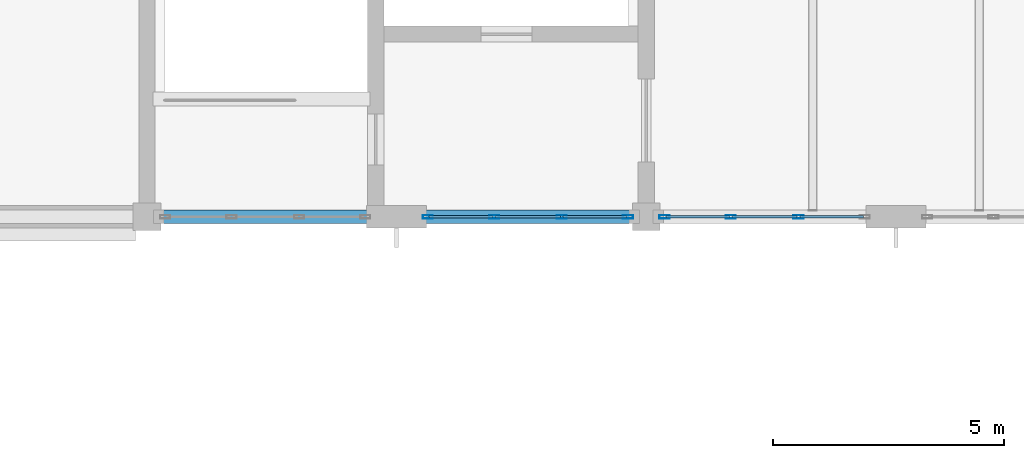
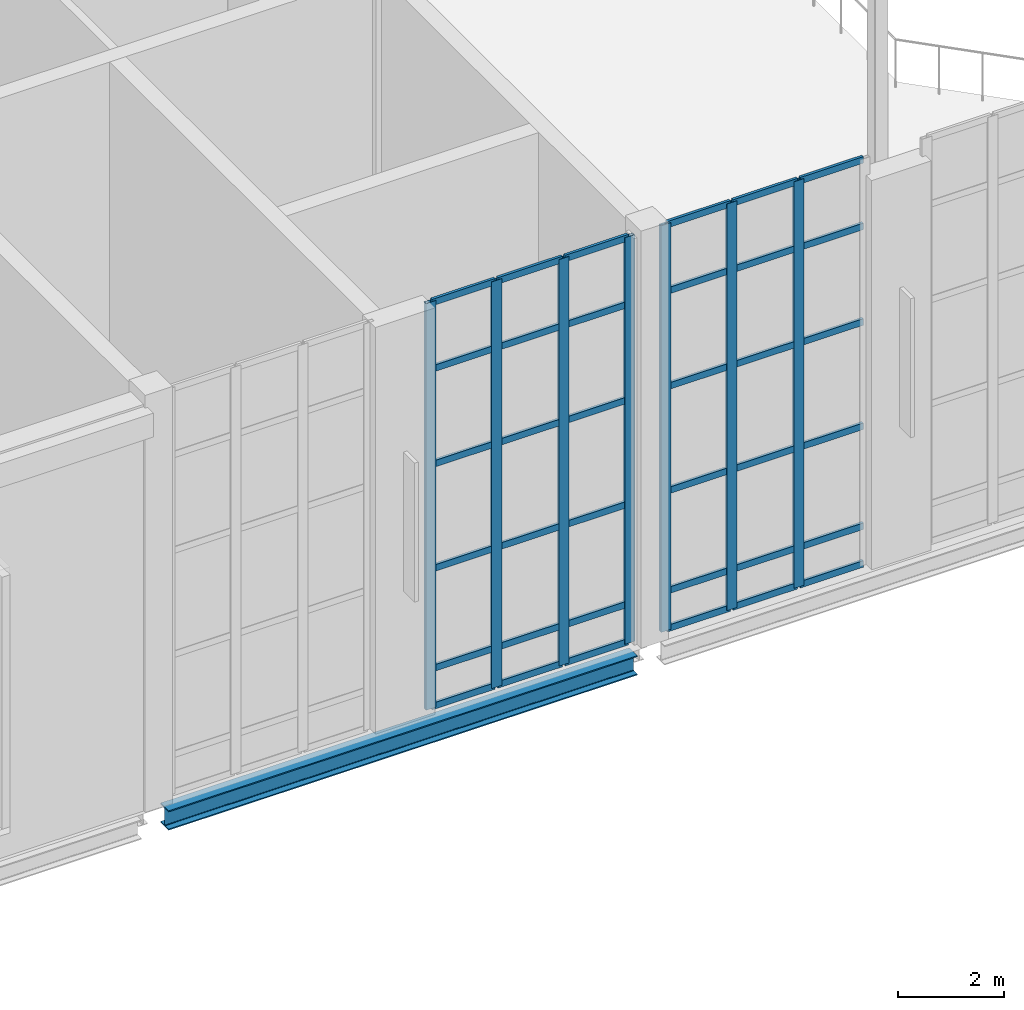
# One storey, part 18 of 100: 43 members, 1 beam, 2 elements without a shape of their own.
"""IFC4 building model written with IfcOpenShell, lengths in metres."""

from ifc_helpers import new_model, si_unit, direction, frame, origin, origin_2d, place, context, subcontext, project, spatial, hollow_rectangle, i_section, extrude, material, layer, layer_set, material_profile, profile_set, type_object, element, aggregate, save


model = new_model("IFC4")

# Units and contexts
model_context = context("Model", 3, precision=1e-05, world=origin(), true_north=direction((0.0, 1.0)))
body_context = subcontext(model_context, "Body", "Model", "MODEL_VIEW")
ifc_project = project(units=[si_unit("LENGTHUNIT", "METRE"), si_unit("AREAUNIT", "SQUARE_METRE"), si_unit("VOLUMEUNIT", "CUBIC_METRE"), si_unit("PLANEANGLEUNIT", "RADIAN"), si_unit("MASSUNIT", "GRAM", prefix="KILO")], contexts=[model_context])

# Site, building, storey
site_placement = place(None, origin())
site = spatial("IfcSite", under=ifc_project, at=site_placement, CompositionType="ELEMENT")
building_placement = place(site_placement, origin())
building = spatial("IfcBuilding", under=site, at=building_placement, Name="Tasgan Crest Museum", CompositionType="ELEMENT")
storey_placement = place(building_placement, frame((0.0, 0.0, 14.39990234375)))
storey = spatial("IfcBuildingStorey", under=building, at=storey_placement, Name="L03", CompositionType="ELEMENT", Elevation=14.39990234375)

# Beam
ifc_material_1 = material(Name="Steel S355J2", Category="steel")
ifc_material_profile_1 = material_profile(ifc_material_1, i_section(OverallWidth=0.300048828125, OverallDepth=0.449951171875, WebThickness=0.013916015625, FlangeThickness=0.02587890625, FilletRadius=0.027099609375, at=origin_2d()), Name="HEB 450")
ifc_profile_set_1 = profile_set([ifc_material_profile_1], Name="Steel S355J2")
beam_type = type_object("IfcBeamType", Name="BM-G-HEB450", PredefinedType="BEAM", material=ifc_profile_set_1)
beam_placement = place(storey_placement, frame((43.49609375, 40.0, -0.48486328125), z_axis=(1.0, 0.0, 0.0), x_axis=(0.0, 1.0, 0.0)))
element("IfcBeam", 1, at=beam_placement, inside=storey, type_object=beam_type, Name="Girder L03 E 43.2-54.0", PredefinedType="BEAM", context=body_context, shape_type="SweptSolid", body=[
    extrude(i_section(OverallWidth=0.300048828125, OverallDepth=0.449951171875, WebThickness=0.013916015625, FlangeThickness=0.02587890625, FilletRadius=0.027099609375, at=origin_2d()), origin(), (0.0, 0.0, 1.0), 10.2080078125),
])

# Curtain wall, members
ifc_material_2 = material(Name="Triple-Glazed Aluminium Curtain Wall", Category="aluminium")
ifc_layer_1 = layer(ifc_material_2, 0.179931640625, Name="CW-CANT-SIDE-96")
ifc_layer_set_1 = layer_set([ifc_layer_1], Name="Triple-Glazed Aluminium Curtain Wall")
curtain_wall_type_1 = type_object("IfcCurtainWallType", Name="CW-CANT-SIDE-96", PredefinedType="NOTDEFINED", material=ifc_layer_set_1)
curtain_wall_1_placement = place(storey_placement, origin())
curtain_wall_1 = element("IfcCurtainWall", 2, at=curtain_wall_1_placement, inside=storey, type_object=curtain_wall_type_1, Name="Curtain wall L03 144", PredefinedType="NOTDEFINED")
ifc_material_3 = material(Name="Anodised Aluminium", Category="aluminium")
ifc_material_profile_2 = material_profile(ifc_material_3, hollow_rectangle(XDim=0.074951171875, YDim=0.219970703125, WallThickness=0.006103515625, at=origin_2d()), Name="ALU MULLION 220x75x6")
ifc_profile_set_2 = profile_set([ifc_material_profile_2], Name="Anodised Aluminium")
member_type_1 = type_object("IfcMemberType", Name="CW-MULLION-220", PredefinedType="MULLION", material=ifc_profile_set_2)
member_1_placement = place(storey_placement, frame((49.27490234375, 40.0, 0.0), z_axis=(0.0, 0.0, 1.0), x_axis=(0.0, 1.0, 0.0)))
member_1 = element("IfcMember", 3, at=member_1_placement, type_object=member_type_1, Name="CW12 mullion 1", PredefinedType="MULLION", context=body_context, shape_type="SweptSolid", body=[
    extrude(hollow_rectangle(XDim=0.074951171875, YDim=0.219970703125, WallThickness=0.006103515625, at=origin_2d()), origin(), (0.0, 0.0, 1.0), 9.360107421875),
])
member_2_placement = place(storey_placement, frame((50.708251953125, 40.0, 0.0), z_axis=(0.0, 0.0, 1.0), x_axis=(0.0, 1.0, 0.0)))
member_2 = element("IfcMember", 4, at=member_2_placement, type_object=member_type_1, Name="CW12 mullion 2", PredefinedType="MULLION", context=body_context, shape_type="SweptSolid", body=[
    extrude(hollow_rectangle(XDim=0.074951171875, YDim=0.219970703125, WallThickness=0.006103515625, at=origin_2d()), origin(), (0.0, 0.0, 1.0), 9.360107421875),
])
member_3_placement = place(storey_placement, frame((52.171630859375, 40.0, 0.0), z_axis=(0.0, 0.0, 1.0), x_axis=(0.0, 1.0, 0.0)))
member_3 = element("IfcMember", 5, at=member_3_placement, type_object=member_type_1, Name="CW12 mullion 3", PredefinedType="MULLION", context=body_context, shape_type="SweptSolid", body=[
    extrude(hollow_rectangle(XDim=0.074951171875, YDim=0.219970703125, WallThickness=0.006103515625, at=origin_2d()), origin(), (0.0, 0.0, 1.0), 9.360107421875),
])
member_4_placement = place(storey_placement, frame((53.60498046875, 40.0, 0.0), z_axis=(0.0, 0.0, 1.0), x_axis=(0.0, 1.0, 0.0)))
member_4 = element("IfcMember", 6, at=member_4_placement, type_object=member_type_1, Name="CW12 mullion 4", PredefinedType="MULLION", context=body_context, shape_type="SweptSolid", body=[
    extrude(hollow_rectangle(XDim=0.074951171875, YDim=0.219970703125, WallThickness=0.006103515625, at=origin_2d()), origin(), (0.0, 0.0, 1.0), 9.360107421875),
])

ifc_material_4 = material(Name="Triple-Glazed Aluminium Curtain Wall", Category="aluminium")
ifc_layer_2 = layer(ifc_material_4, 0.179931640625, Name="CW-DRUM-X-96")
ifc_layer_set_2 = layer_set([ifc_layer_2], Name="Triple-Glazed Aluminium Curtain Wall")
curtain_wall_type_2 = type_object("IfcCurtainWallType", Name="CW-DRUM-X-96", PredefinedType="NOTDEFINED", material=ifc_layer_set_2)
curtain_wall_2_placement = place(storey_placement, origin())
curtain_wall_2 = element("IfcCurtainWall", 7, at=curtain_wall_2_placement, inside=storey, type_object=curtain_wall_type_2, Name="Curtain wall L03 145", PredefinedType="NOTDEFINED")
member_5_placement = place(storey_placement, frame((54.39501953125, 40.0, 0.0), z_axis=(0.0, 0.0, 1.0), x_axis=(0.0, 1.0, 0.0)))
member_5 = element("IfcMember", 8, at=member_5_placement, type_object=member_type_1, Name="CW06 mullion 1", PredefinedType="MULLION", context=body_context, shape_type="SweptSolid", body=[
    extrude(hollow_rectangle(XDim=0.074951171875, YDim=0.219970703125, WallThickness=0.006103515625, at=origin_2d()), origin(), (0.0, 0.0, 1.0), 9.360107421875),
])
member_6_placement = place(storey_placement, frame((55.828369140625, 40.0, 0.0), z_axis=(0.0, 0.0, 1.0), x_axis=(0.0, 1.0, 0.0)))
member_6 = element("IfcMember", 9, at=member_6_placement, type_object=member_type_1, Name="CW06 mullion 2", PredefinedType="MULLION", context=body_context, shape_type="SweptSolid", body=[
    extrude(hollow_rectangle(XDim=0.074951171875, YDim=0.219970703125, WallThickness=0.006103515625, at=origin_2d()), origin(), (0.0, 0.0, 1.0), 9.360107421875),
])
member_7_placement = place(storey_placement, frame((57.291748046875, 40.0, 0.0), z_axis=(0.0, 0.0, 1.0), x_axis=(0.0, 1.0, 0.0)))
member_7 = element("IfcMember", 10, at=member_7_placement, type_object=member_type_1, Name="CW06 mullion 3", PredefinedType="MULLION", context=body_context, shape_type="SweptSolid", body=[
    extrude(hollow_rectangle(XDim=0.074951171875, YDim=0.219970703125, WallThickness=0.006103515625, at=origin_2d()), origin(), (0.0, 0.0, 1.0), 9.360107421875),
])

# Member
ifc_material_5 = material(Name="Anodised Aluminium", Category="aluminium")
ifc_material_profile_3 = material_profile(ifc_material_5, hollow_rectangle(XDim=0.06005859375, YDim=0.14990234375, WallThickness=0.0048828125, at=origin_2d()), Name="ALU TRANSOM 150x60x5")
ifc_profile_set_3 = profile_set([ifc_material_profile_3], Name="Anodised Aluminium")
member_type_2 = type_object("IfcMemberType", Name="CW-TRANSOM-150", PredefinedType="USERDEFINED", material=ifc_profile_set_3)
member_8_placement = place(storey_placement, frame((49.304931640625, 40.0, 0.030029296875), z_axis=(1.0, 0.0, 0.0), x_axis=(0.0, 1.0, 0.0)))
member_8 = element("IfcMember", 11, at=member_8_placement, type_object=member_type_2, Name="CW12 transom 1.1", ObjectType="TRANSOM", PredefinedType="USERDEFINED", context=body_context, shape_type="SweptSolid", body=[
    extrude(hollow_rectangle(XDim=0.06005859375, YDim=0.14990234375, WallThickness=0.0048828125, at=origin_2d()), origin(), (0.0, 0.0, 1.0), 1.373291015625),
])

member_9_placement = place(storey_placement, frame((49.304931640625, 40.0, 0.900146484375), z_axis=(1.0, 0.0, 0.0), x_axis=(0.0, 1.0, 0.0)))
member_9 = element("IfcMember", 12, at=member_9_placement, type_object=member_type_2, Name="CW12 transom 1.2", ObjectType="TRANSOM", PredefinedType="USERDEFINED", context=body_context, shape_type="SweptSolid", body=[
    extrude(hollow_rectangle(XDim=0.06005859375, YDim=0.14990234375, WallThickness=0.0048828125, at=origin_2d()), origin(), (0.0, 0.0, 1.0), 1.373291015625),
])

member_10_placement = place(storey_placement, frame((49.304931640625, 40.0, 3.2001953125), z_axis=(1.0, 0.0, 0.0), x_axis=(0.0, 1.0, 0.0)))
member_10 = element("IfcMember", 13, at=member_10_placement, type_object=member_type_2, Name="CW12 transom 1.3", ObjectType="TRANSOM", PredefinedType="USERDEFINED", context=body_context, shape_type="SweptSolid", body=[
    extrude(hollow_rectangle(XDim=0.06005859375, YDim=0.14990234375, WallThickness=0.0048828125, at=origin_2d()), origin(), (0.0, 0.0, 1.0), 1.373291015625),
])

member_11_placement = place(storey_placement, frame((49.304931640625, 40.0, 5.60009765625), z_axis=(1.0, 0.0, 0.0), x_axis=(0.0, 1.0, 0.0)))
member_11 = element("IfcMember", 14, at=member_11_placement, type_object=member_type_2, Name="CW12 transom 1.4", ObjectType="TRANSOM", PredefinedType="USERDEFINED", context=body_context, shape_type="SweptSolid", body=[
    extrude(hollow_rectangle(XDim=0.06005859375, YDim=0.14990234375, WallThickness=0.0048828125, at=origin_2d()), origin(), (0.0, 0.0, 1.0), 1.373291015625),
])

member_12_placement = place(storey_placement, frame((49.304931640625, 40.0, 7.800048828125), z_axis=(1.0, 0.0, 0.0), x_axis=(0.0, 1.0, 0.0)))
member_12 = element("IfcMember", 15, at=member_12_placement, type_object=member_type_2, Name="CW12 transom 1.5", ObjectType="TRANSOM", PredefinedType="USERDEFINED", context=body_context, shape_type="SweptSolid", body=[
    extrude(hollow_rectangle(XDim=0.06005859375, YDim=0.14990234375, WallThickness=0.0048828125, at=origin_2d()), origin(), (0.0, 0.0, 1.0), 1.373291015625),
])

member_13_placement = place(storey_placement, frame((49.304931640625, 40.0, 9.330078125), z_axis=(1.0, 0.0, 0.0), x_axis=(0.0, 1.0, 0.0)))
member_13 = element("IfcMember", 16, at=member_13_placement, type_object=member_type_2, Name="CW12 transom 1.6", ObjectType="TRANSOM", PredefinedType="USERDEFINED", context=body_context, shape_type="SweptSolid", body=[
    extrude(hollow_rectangle(XDim=0.06005859375, YDim=0.14990234375, WallThickness=0.0048828125, at=origin_2d()), origin(), (0.0, 0.0, 1.0), 1.373291015625),
])

member_14_placement = place(storey_placement, frame((50.73828125, 40.0, 0.030029296875), z_axis=(1.0, 0.0, 0.0), x_axis=(0.0, 1.0, 0.0)))
member_14 = element("IfcMember", 17, at=member_14_placement, type_object=member_type_2, Name="CW12 transom 2.1", ObjectType="TRANSOM", PredefinedType="USERDEFINED", context=body_context, shape_type="SweptSolid", body=[
    extrude(hollow_rectangle(XDim=0.06005859375, YDim=0.14990234375, WallThickness=0.0048828125, at=origin_2d()), origin(), (0.0, 0.0, 1.0), 1.4033203125),
])

member_15_placement = place(storey_placement, frame((50.73828125, 40.0, 0.900146484375), z_axis=(1.0, 0.0, 0.0), x_axis=(0.0, 1.0, 0.0)))
member_15 = element("IfcMember", 18, at=member_15_placement, type_object=member_type_2, Name="CW12 transom 2.2", ObjectType="TRANSOM", PredefinedType="USERDEFINED", context=body_context, shape_type="SweptSolid", body=[
    extrude(hollow_rectangle(XDim=0.06005859375, YDim=0.14990234375, WallThickness=0.0048828125, at=origin_2d()), origin(), (0.0, 0.0, 1.0), 1.4033203125),
])

member_16_placement = place(storey_placement, frame((50.73828125, 40.0, 3.2001953125), z_axis=(1.0, 0.0, 0.0), x_axis=(0.0, 1.0, 0.0)))
member_16 = element("IfcMember", 19, at=member_16_placement, type_object=member_type_2, Name="CW12 transom 2.3", ObjectType="TRANSOM", PredefinedType="USERDEFINED", context=body_context, shape_type="SweptSolid", body=[
    extrude(hollow_rectangle(XDim=0.06005859375, YDim=0.14990234375, WallThickness=0.0048828125, at=origin_2d()), origin(), (0.0, 0.0, 1.0), 1.4033203125),
])

member_17_placement = place(storey_placement, frame((50.73828125, 40.0, 5.60009765625), z_axis=(1.0, 0.0, 0.0), x_axis=(0.0, 1.0, 0.0)))
member_17 = element("IfcMember", 20, at=member_17_placement, type_object=member_type_2, Name="CW12 transom 2.4", ObjectType="TRANSOM", PredefinedType="USERDEFINED", context=body_context, shape_type="SweptSolid", body=[
    extrude(hollow_rectangle(XDim=0.06005859375, YDim=0.14990234375, WallThickness=0.0048828125, at=origin_2d()), origin(), (0.0, 0.0, 1.0), 1.4033203125),
])

member_18_placement = place(storey_placement, frame((50.73828125, 40.0, 7.800048828125), z_axis=(1.0, 0.0, 0.0), x_axis=(0.0, 1.0, 0.0)))
member_18 = element("IfcMember", 21, at=member_18_placement, type_object=member_type_2, Name="CW12 transom 2.5", ObjectType="TRANSOM", PredefinedType="USERDEFINED", context=body_context, shape_type="SweptSolid", body=[
    extrude(hollow_rectangle(XDim=0.06005859375, YDim=0.14990234375, WallThickness=0.0048828125, at=origin_2d()), origin(), (0.0, 0.0, 1.0), 1.4033203125),
])

member_19_placement = place(storey_placement, frame((50.73828125, 40.0, 9.330078125), z_axis=(1.0, 0.0, 0.0), x_axis=(0.0, 1.0, 0.0)))
member_19 = element("IfcMember", 22, at=member_19_placement, type_object=member_type_2, Name="CW12 transom 2.6", ObjectType="TRANSOM", PredefinedType="USERDEFINED", context=body_context, shape_type="SweptSolid", body=[
    extrude(hollow_rectangle(XDim=0.06005859375, YDim=0.14990234375, WallThickness=0.0048828125, at=origin_2d()), origin(), (0.0, 0.0, 1.0), 1.4033203125),
])

member_20_placement = place(storey_placement, frame((52.20166015625, 40.0, 0.030029296875), z_axis=(1.0, 0.0, 0.0), x_axis=(0.0, 1.0, 0.0)))
member_20 = element("IfcMember", 23, at=member_20_placement, type_object=member_type_2, Name="CW12 transom 3.1", ObjectType="TRANSOM", PredefinedType="USERDEFINED", context=body_context, shape_type="SweptSolid", body=[
    extrude(hollow_rectangle(XDim=0.06005859375, YDim=0.14990234375, WallThickness=0.0048828125, at=origin_2d()), origin(), (0.0, 0.0, 1.0), 1.373291015625),
])

member_21_placement = place(storey_placement, frame((52.20166015625, 40.0, 0.900146484375), z_axis=(1.0, 0.0, 0.0), x_axis=(0.0, 1.0, 0.0)))
member_21 = element("IfcMember", 24, at=member_21_placement, type_object=member_type_2, Name="CW12 transom 3.2", ObjectType="TRANSOM", PredefinedType="USERDEFINED", context=body_context, shape_type="SweptSolid", body=[
    extrude(hollow_rectangle(XDim=0.06005859375, YDim=0.14990234375, WallThickness=0.0048828125, at=origin_2d()), origin(), (0.0, 0.0, 1.0), 1.373291015625),
])

member_22_placement = place(storey_placement, frame((52.20166015625, 40.0, 3.2001953125), z_axis=(1.0, 0.0, 0.0), x_axis=(0.0, 1.0, 0.0)))
member_22 = element("IfcMember", 25, at=member_22_placement, type_object=member_type_2, Name="CW12 transom 3.3", ObjectType="TRANSOM", PredefinedType="USERDEFINED", context=body_context, shape_type="SweptSolid", body=[
    extrude(hollow_rectangle(XDim=0.06005859375, YDim=0.14990234375, WallThickness=0.0048828125, at=origin_2d()), origin(), (0.0, 0.0, 1.0), 1.373291015625),
])

member_23_placement = place(storey_placement, frame((52.20166015625, 40.0, 5.60009765625), z_axis=(1.0, 0.0, 0.0), x_axis=(0.0, 1.0, 0.0)))
member_23 = element("IfcMember", 26, at=member_23_placement, type_object=member_type_2, Name="CW12 transom 3.4", ObjectType="TRANSOM", PredefinedType="USERDEFINED", context=body_context, shape_type="SweptSolid", body=[
    extrude(hollow_rectangle(XDim=0.06005859375, YDim=0.14990234375, WallThickness=0.0048828125, at=origin_2d()), origin(), (0.0, 0.0, 1.0), 1.373291015625),
])

member_24_placement = place(storey_placement, frame((52.20166015625, 40.0, 7.800048828125), z_axis=(1.0, 0.0, 0.0), x_axis=(0.0, 1.0, 0.0)))
member_24 = element("IfcMember", 27, at=member_24_placement, type_object=member_type_2, Name="CW12 transom 3.5", ObjectType="TRANSOM", PredefinedType="USERDEFINED", context=body_context, shape_type="SweptSolid", body=[
    extrude(hollow_rectangle(XDim=0.06005859375, YDim=0.14990234375, WallThickness=0.0048828125, at=origin_2d()), origin(), (0.0, 0.0, 1.0), 1.373291015625),
])

member_25_placement = place(storey_placement, frame((52.20166015625, 40.0, 9.330078125), z_axis=(1.0, 0.0, 0.0), x_axis=(0.0, 1.0, 0.0)))
member_25 = element("IfcMember", 28, at=member_25_placement, type_object=member_type_2, Name="CW12 transom 3.6", ObjectType="TRANSOM", PredefinedType="USERDEFINED", context=body_context, shape_type="SweptSolid", body=[
    extrude(hollow_rectangle(XDim=0.06005859375, YDim=0.14990234375, WallThickness=0.0048828125, at=origin_2d()), origin(), (0.0, 0.0, 1.0), 1.373291015625),
])

aggregate(curtain_wall_1, [member_1, member_2, member_3, member_4, member_8, member_9, member_10, member_11, member_12, member_13, member_14, member_15, member_16, member_17, member_18, member_19, member_20, member_21, member_22, member_23, member_24, member_25])

member_26_placement = place(storey_placement, frame((54.425048828125, 40.0, 0.030029296875), z_axis=(1.0, 0.0, 0.0), x_axis=(0.0, 1.0, 0.0)))
member_26 = element("IfcMember", 29, at=member_26_placement, type_object=member_type_2, Name="CW06 transom 1.1", ObjectType="TRANSOM", PredefinedType="USERDEFINED", context=body_context, shape_type="SweptSolid", body=[
    extrude(hollow_rectangle(XDim=0.06005859375, YDim=0.14990234375, WallThickness=0.0048828125, at=origin_2d()), origin(), (0.0, 0.0, 1.0), 1.373291015625),
])

member_27_placement = place(storey_placement, frame((54.425048828125, 40.0, 0.900146484375), z_axis=(1.0, 0.0, 0.0), x_axis=(0.0, 1.0, 0.0)))
member_27 = element("IfcMember", 30, at=member_27_placement, type_object=member_type_2, Name="CW06 transom 1.2", ObjectType="TRANSOM", PredefinedType="USERDEFINED", context=body_context, shape_type="SweptSolid", body=[
    extrude(hollow_rectangle(XDim=0.06005859375, YDim=0.14990234375, WallThickness=0.0048828125, at=origin_2d()), origin(), (0.0, 0.0, 1.0), 1.373291015625),
])

member_28_placement = place(storey_placement, frame((54.425048828125, 40.0, 3.2001953125), z_axis=(1.0, 0.0, 0.0), x_axis=(0.0, 1.0, 0.0)))
member_28 = element("IfcMember", 31, at=member_28_placement, type_object=member_type_2, Name="CW06 transom 1.3", ObjectType="TRANSOM", PredefinedType="USERDEFINED", context=body_context, shape_type="SweptSolid", body=[
    extrude(hollow_rectangle(XDim=0.06005859375, YDim=0.14990234375, WallThickness=0.0048828125, at=origin_2d()), origin(), (0.0, 0.0, 1.0), 1.373291015625),
])

member_29_placement = place(storey_placement, frame((54.425048828125, 40.0, 5.60009765625), z_axis=(1.0, 0.0, 0.0), x_axis=(0.0, 1.0, 0.0)))
member_29 = element("IfcMember", 32, at=member_29_placement, type_object=member_type_2, Name="CW06 transom 1.4", ObjectType="TRANSOM", PredefinedType="USERDEFINED", context=body_context, shape_type="SweptSolid", body=[
    extrude(hollow_rectangle(XDim=0.06005859375, YDim=0.14990234375, WallThickness=0.0048828125, at=origin_2d()), origin(), (0.0, 0.0, 1.0), 1.373291015625),
])

member_30_placement = place(storey_placement, frame((54.425048828125, 40.0, 7.800048828125), z_axis=(1.0, 0.0, 0.0), x_axis=(0.0, 1.0, 0.0)))
member_30 = element("IfcMember", 33, at=member_30_placement, type_object=member_type_2, Name="CW06 transom 1.5", ObjectType="TRANSOM", PredefinedType="USERDEFINED", context=body_context, shape_type="SweptSolid", body=[
    extrude(hollow_rectangle(XDim=0.06005859375, YDim=0.14990234375, WallThickness=0.0048828125, at=origin_2d()), origin(), (0.0, 0.0, 1.0), 1.373291015625),
])

member_31_placement = place(storey_placement, frame((54.425048828125, 40.0, 9.330078125), z_axis=(1.0, 0.0, 0.0), x_axis=(0.0, 1.0, 0.0)))
member_31 = element("IfcMember", 34, at=member_31_placement, type_object=member_type_2, Name="CW06 transom 1.6", ObjectType="TRANSOM", PredefinedType="USERDEFINED", context=body_context, shape_type="SweptSolid", body=[
    extrude(hollow_rectangle(XDim=0.06005859375, YDim=0.14990234375, WallThickness=0.0048828125, at=origin_2d()), origin(), (0.0, 0.0, 1.0), 1.373291015625),
])

member_32_placement = place(storey_placement, frame((55.8583984375, 40.0, 0.030029296875), z_axis=(1.0, 0.0, 0.0), x_axis=(0.0, 1.0, 0.0)))
member_32 = element("IfcMember", 35, at=member_32_placement, type_object=member_type_2, Name="CW06 transom 2.1", ObjectType="TRANSOM", PredefinedType="USERDEFINED", context=body_context, shape_type="SweptSolid", body=[
    extrude(hollow_rectangle(XDim=0.06005859375, YDim=0.14990234375, WallThickness=0.0048828125, at=origin_2d()), origin(), (0.0, 0.0, 1.0), 1.4033203125),
])

member_33_placement = place(storey_placement, frame((55.8583984375, 40.0, 0.900146484375), z_axis=(1.0, 0.0, 0.0), x_axis=(0.0, 1.0, 0.0)))
member_33 = element("IfcMember", 36, at=member_33_placement, type_object=member_type_2, Name="CW06 transom 2.2", ObjectType="TRANSOM", PredefinedType="USERDEFINED", context=body_context, shape_type="SweptSolid", body=[
    extrude(hollow_rectangle(XDim=0.06005859375, YDim=0.14990234375, WallThickness=0.0048828125, at=origin_2d()), origin(), (0.0, 0.0, 1.0), 1.4033203125),
])

member_34_placement = place(storey_placement, frame((55.8583984375, 40.0, 3.2001953125), z_axis=(1.0, 0.0, 0.0), x_axis=(0.0, 1.0, 0.0)))
member_34 = element("IfcMember", 37, at=member_34_placement, type_object=member_type_2, Name="CW06 transom 2.3", ObjectType="TRANSOM", PredefinedType="USERDEFINED", context=body_context, shape_type="SweptSolid", body=[
    extrude(hollow_rectangle(XDim=0.06005859375, YDim=0.14990234375, WallThickness=0.0048828125, at=origin_2d()), origin(), (0.0, 0.0, 1.0), 1.4033203125),
])

member_35_placement = place(storey_placement, frame((55.8583984375, 40.0, 5.60009765625), z_axis=(1.0, 0.0, 0.0), x_axis=(0.0, 1.0, 0.0)))
member_35 = element("IfcMember", 38, at=member_35_placement, type_object=member_type_2, Name="CW06 transom 2.4", ObjectType="TRANSOM", PredefinedType="USERDEFINED", context=body_context, shape_type="SweptSolid", body=[
    extrude(hollow_rectangle(XDim=0.06005859375, YDim=0.14990234375, WallThickness=0.0048828125, at=origin_2d()), origin(), (0.0, 0.0, 1.0), 1.4033203125),
])

member_36_placement = place(storey_placement, frame((55.8583984375, 40.0, 7.800048828125), z_axis=(1.0, 0.0, 0.0), x_axis=(0.0, 1.0, 0.0)))
member_36 = element("IfcMember", 39, at=member_36_placement, type_object=member_type_2, Name="CW06 transom 2.5", ObjectType="TRANSOM", PredefinedType="USERDEFINED", context=body_context, shape_type="SweptSolid", body=[
    extrude(hollow_rectangle(XDim=0.06005859375, YDim=0.14990234375, WallThickness=0.0048828125, at=origin_2d()), origin(), (0.0, 0.0, 1.0), 1.4033203125),
])

member_37_placement = place(storey_placement, frame((55.8583984375, 40.0, 9.330078125), z_axis=(1.0, 0.0, 0.0), x_axis=(0.0, 1.0, 0.0)))
member_37 = element("IfcMember", 40, at=member_37_placement, type_object=member_type_2, Name="CW06 transom 2.6", ObjectType="TRANSOM", PredefinedType="USERDEFINED", context=body_context, shape_type="SweptSolid", body=[
    extrude(hollow_rectangle(XDim=0.06005859375, YDim=0.14990234375, WallThickness=0.0048828125, at=origin_2d()), origin(), (0.0, 0.0, 1.0), 1.4033203125),
])

member_38_placement = place(storey_placement, frame((57.32177734375, 40.0, 0.030029296875), z_axis=(1.0, 0.0, 0.0), x_axis=(0.0, 1.0, 0.0)))
member_38 = element("IfcMember", 41, at=member_38_placement, type_object=member_type_2, Name="CW06 transom 3.1", ObjectType="TRANSOM", PredefinedType="USERDEFINED", context=body_context, shape_type="SweptSolid", body=[
    extrude(hollow_rectangle(XDim=0.06005859375, YDim=0.14990234375, WallThickness=0.0048828125, at=origin_2d()), origin(), (0.0, 0.0, 1.0), 1.373291015625),
])

member_39_placement = place(storey_placement, frame((57.32177734375, 40.0, 0.900146484375), z_axis=(1.0, 0.0, 0.0), x_axis=(0.0, 1.0, 0.0)))
member_39 = element("IfcMember", 42, at=member_39_placement, type_object=member_type_2, Name="CW06 transom 3.2", ObjectType="TRANSOM", PredefinedType="USERDEFINED", context=body_context, shape_type="SweptSolid", body=[
    extrude(hollow_rectangle(XDim=0.06005859375, YDim=0.14990234375, WallThickness=0.0048828125, at=origin_2d()), origin(), (0.0, 0.0, 1.0), 1.373291015625),
])

member_40_placement = place(storey_placement, frame((57.32177734375, 40.0, 3.2001953125), z_axis=(1.0, 0.0, 0.0), x_axis=(0.0, 1.0, 0.0)))
member_40 = element("IfcMember", 43, at=member_40_placement, type_object=member_type_2, Name="CW06 transom 3.3", ObjectType="TRANSOM", PredefinedType="USERDEFINED", context=body_context, shape_type="SweptSolid", body=[
    extrude(hollow_rectangle(XDim=0.06005859375, YDim=0.14990234375, WallThickness=0.0048828125, at=origin_2d()), origin(), (0.0, 0.0, 1.0), 1.373291015625),
])

member_41_placement = place(storey_placement, frame((57.32177734375, 40.0, 5.60009765625), z_axis=(1.0, 0.0, 0.0), x_axis=(0.0, 1.0, 0.0)))
member_41 = element("IfcMember", 44, at=member_41_placement, type_object=member_type_2, Name="CW06 transom 3.4", ObjectType="TRANSOM", PredefinedType="USERDEFINED", context=body_context, shape_type="SweptSolid", body=[
    extrude(hollow_rectangle(XDim=0.06005859375, YDim=0.14990234375, WallThickness=0.0048828125, at=origin_2d()), origin(), (0.0, 0.0, 1.0), 1.373291015625),
])

member_42_placement = place(storey_placement, frame((57.32177734375, 40.0, 7.800048828125), z_axis=(1.0, 0.0, 0.0), x_axis=(0.0, 1.0, 0.0)))
member_42 = element("IfcMember", 45, at=member_42_placement, type_object=member_type_2, Name="CW06 transom 3.5", ObjectType="TRANSOM", PredefinedType="USERDEFINED", context=body_context, shape_type="SweptSolid", body=[
    extrude(hollow_rectangle(XDim=0.06005859375, YDim=0.14990234375, WallThickness=0.0048828125, at=origin_2d()), origin(), (0.0, 0.0, 1.0), 1.373291015625),
])

member_43_placement = place(storey_placement, frame((57.32177734375, 40.0, 9.330078125), z_axis=(1.0, 0.0, 0.0), x_axis=(0.0, 1.0, 0.0)))
member_43 = element("IfcMember", 46, at=member_43_placement, type_object=member_type_2, Name="CW06 transom 3.6", ObjectType="TRANSOM", PredefinedType="USERDEFINED", context=body_context, shape_type="SweptSolid", body=[
    extrude(hollow_rectangle(XDim=0.06005859375, YDim=0.14990234375, WallThickness=0.0048828125, at=origin_2d()), origin(), (0.0, 0.0, 1.0), 1.373291015625),
])

aggregate(curtain_wall_2, [member_5, member_6, member_7, member_26, member_27, member_28, member_29, member_30, member_31, member_32, member_33, member_34, member_35, member_36, member_37, member_38, member_39, member_40, member_41, member_42, member_43])

save(model, "model.ifc")
